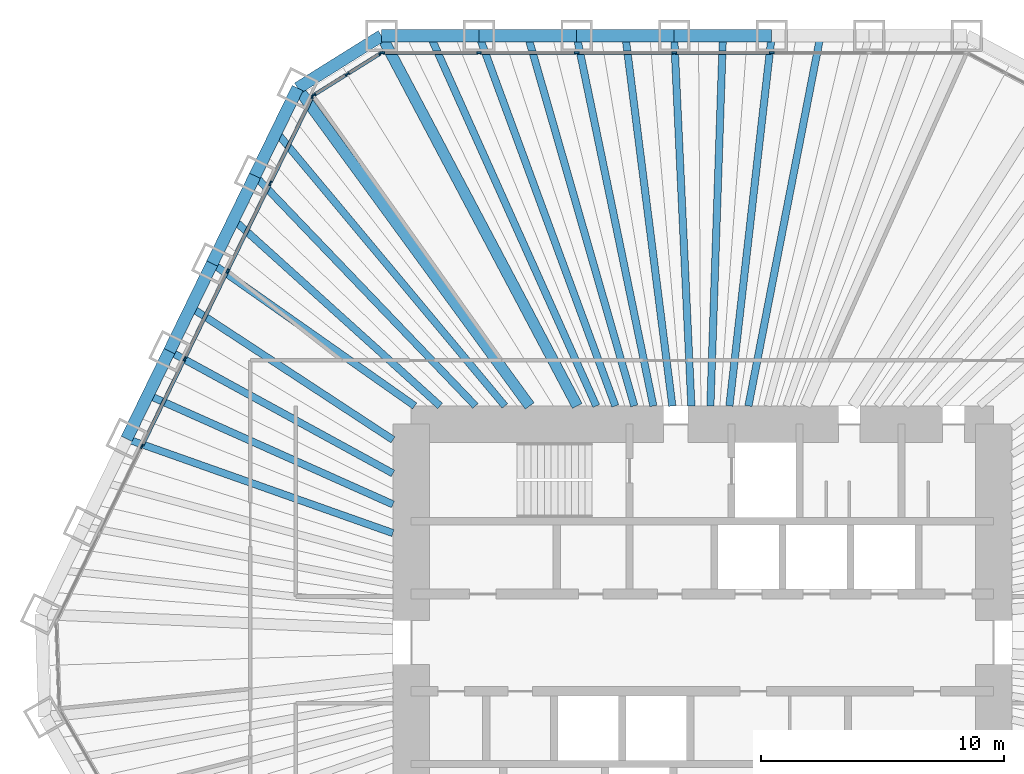
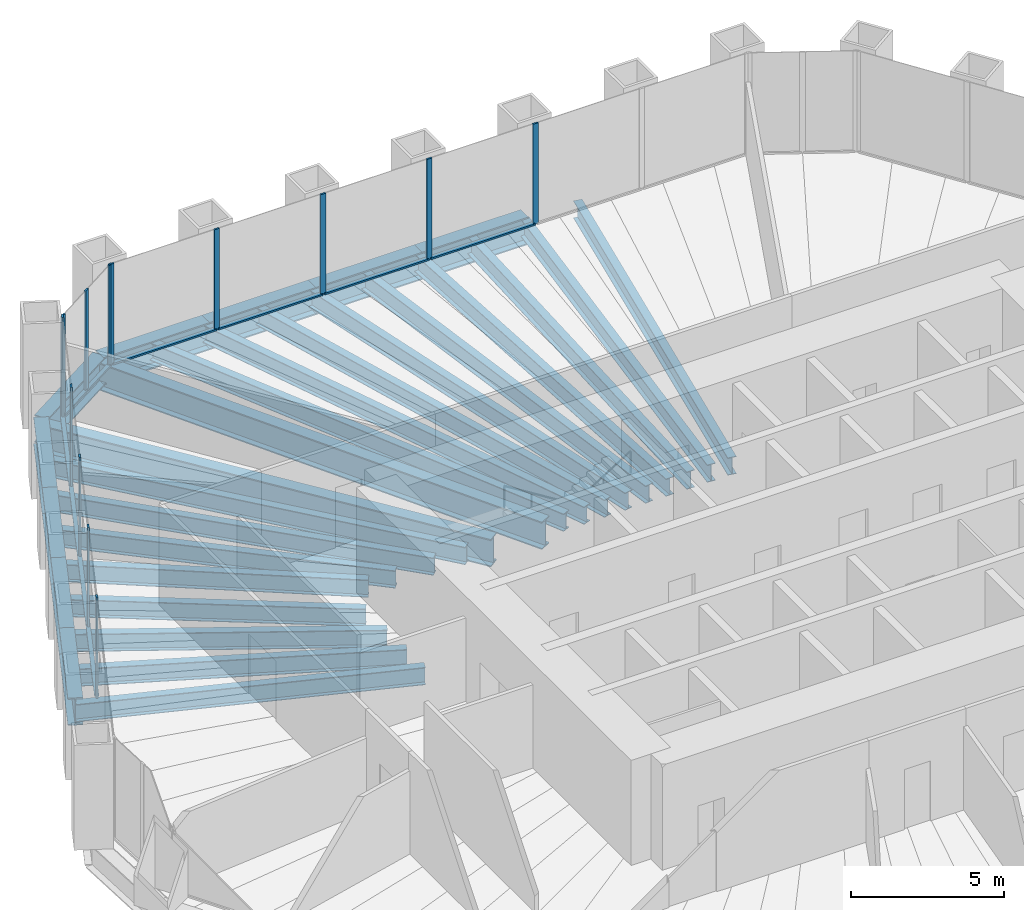
# One storey, part 6 of 13: 28 beams, 23 members, 3 elements without a shape of their own.
"""IFC4 building model written with IfcOpenShell, lengths in metres."""

from ifc_helpers import new_model, si_unit, direction, frame, origin, origin_2d, place, context, subcontext, project, spatial, rectangle, i_section, extrude, material, material_profile, profile_set, type_object, element, aggregate, save


model = new_model("IFC4")

# Units and contexts
model_context = context("Model", 3, precision=1e-05, world=origin(), true_north=direction((0.0, 1.0)))
body_context = subcontext(model_context, "Body", "Model", "MODEL_VIEW")
ifc_project = project(units=[si_unit("LENGTHUNIT", "METRE"), si_unit("AREAUNIT", "SQUARE_METRE"), si_unit("VOLUMEUNIT", "CUBIC_METRE"), si_unit("PLANEANGLEUNIT", "RADIAN"), si_unit("MASSUNIT", "GRAM", prefix="KILO")], contexts=[model_context])

# Site, building, storey
site_placement = place(None, origin())
site = spatial("IfcSite", under=ifc_project, at=site_placement, CompositionType="ELEMENT")
building_placement = place(site_placement, origin())
building = spatial("IfcBuilding", under=site, at=building_placement, Name="Qingtian Harvest Tower", CompositionType="ELEMENT")
storey_placement = place(building_placement, frame((0.0, 0.0, 119.800048828125)))
storey = spatial("IfcBuildingStorey", under=building, at=storey_placement, Name="L24", CompositionType="ELEMENT", Elevation=119.800048828125)

# Beams
ifc_material_1 = material(Name="Steel SM570MC", Category="steel")
ifc_material_profile_1 = material_profile(ifc_material_1, i_section(OverallWidth=0.449951171875, OverallDepth=1.10009765625, WebThickness=0.02197265625, FlangeThickness=0.044921875, at=origin_2d()), Name="H1100x450x22x45")
ifc_profile_set_1 = profile_set([ifc_material_profile_1], Name="Steel SM570MC")
beam_type_1 = type_object("IfcBeamType", Name="Corner floor beam FB8 H1100x450x22x45", PredefinedType="BEAM", material=ifc_profile_set_1)
beam_1_placement = place(storey_placement, frame((-13.2216796875, 25.0, -0.719970703125), z_axis=(0.46750989692, -0.88398783718, 0.0), x_axis=(0.88398783718, 0.46750989692, 0.0)))
element("IfcBeam", 1, at=beam_1_placement, inside=storey, type_object=beam_type_1, Name="Floor beam FB8 N0", PredefinedType="BEAM", context=body_context, shape_type="SweptSolid", body=[
    extrude(i_section(OverallWidth=0.449951171875, OverallDepth=1.10009765625, WebThickness=0.02197265625, FlangeThickness=0.044921875, at=origin_2d()), origin(), (0.0, 0.0, 1.0), 17.25146484375),
])
beam_2_placement = place(storey_placement, frame((-16.673828125, 22.8427734375, -0.719970703125), z_axis=(0.589577703364, -0.807711663712, 0.0), x_axis=(0.807711663712, 0.589577703364, 0.0)))
element("IfcBeam", 2, at=beam_2_placement, inside=storey, type_object=beam_type_1, Name="Floor beam FB8 NW6", PredefinedType="BEAM", context=body_context, shape_type="SweptSolid", body=[
    extrude(i_section(OverallWidth=0.449951171875, OverallDepth=1.10009765625, WebThickness=0.02197265625, FlangeThickness=0.044921875, at=origin_2d()), origin(), (0.0, 0.0, 1.0), 16.209716796875),
])
ifc_material_2 = material(Name="Steel SN490B", Category="steel")
ifc_material_profile_2 = material_profile(ifc_material_2, i_section(OverallWidth=0.300048828125, OverallDepth=0.699951171875, WebThickness=0.012939453125, FlangeThickness=0.02392578125, at=origin_2d()), Name="H700x300x13x24")
ifc_profile_set_2 = profile_set([ifc_material_profile_2], Name="Steel SN490B")
beam_type_2 = type_object("IfcBeamType", Name="Floor beam FB2 H700x300x13x24", PredefinedType="BEAM", material=ifc_profile_set_2)
beam_3_placement = place(storey_placement, frame((-9.20263671875, 25.0, -0.52001953125), z_axis=(0.345440084985, -0.938440806703, 0.0), x_axis=(0.938440806703, 0.345440084985, 0.0)))
element("IfcBeam", 3, at=beam_3_placement, inside=storey, type_object=beam_type_2, Name="Floor beam FB2 N1", PredefinedType="BEAM", context=body_context, shape_type="SweptSolid", body=[
    extrude(i_section(OverallWidth=0.300048828125, OverallDepth=0.699951171875, WebThickness=0.012939453125, FlangeThickness=0.02392578125, at=origin_2d()), origin(), (0.0, 0.0, 1.0), 16.250244140625),
])
beam_4_placement = place(storey_placement, frame((-5.18359375, 25.0, -0.52001953125), z_axis=(0.203032709566, -0.979171955709, 0.0), x_axis=(0.979171955709, 0.203032709566, 0.0)))
element("IfcBeam", 4, at=beam_4_placement, inside=storey, type_object=beam_type_2, Name="Floor beam FB2 N2", PredefinedType="BEAM", context=body_context, shape_type="SweptSolid", body=[
    extrude(i_section(OverallWidth=0.300048828125, OverallDepth=0.699951171875, WebThickness=0.012939453125, FlangeThickness=0.02392578125, at=origin_2d()), origin(), (0.0, 0.0, 1.0), 15.574462890625),
])
beam_5_placement = place(storey_placement, frame((-1.16455078125, 25.0, -0.52001953125), z_axis=(0.046536361684, -0.998916596639, 0.0), x_axis=(0.998916596639, 0.046536361684, 0.0)))
element("IfcBeam", 5, at=beam_5_placement, inside=storey, type_object=beam_type_2, Name="Floor beam FB2 N3", PredefinedType="BEAM", context=body_context, shape_type="SweptSolid", body=[
    extrude(i_section(OverallWidth=0.300048828125, OverallDepth=0.699951171875, WebThickness=0.012939453125, FlangeThickness=0.02392578125, at=origin_2d()), origin(), (0.0, 0.0, 1.0), 15.2666015625),
])
beam_6_placement = place(storey_placement, frame((2.8544921875, 25.0, -0.52001953125), z_axis=(-0.113440722222, -0.993544766249, 0.0), x_axis=(0.993544766249, -0.113440722222, 0.0)))
element("IfcBeam", 6, at=beam_6_placement, inside=storey, type_object=beam_type_2, Name="Floor beam FB2 N4", PredefinedType="BEAM", context=body_context, shape_type="SweptSolid", body=[
    extrude(i_section(OverallWidth=0.300048828125, OverallDepth=0.699951171875, WebThickness=0.012939453125, FlangeThickness=0.02392578125, at=origin_2d()), origin(), (0.0, 0.0, 1.0), 15.34912109375),
])
beam_7_placement = place(storey_placement, frame((-23.72119140625, 8.3935546875, -0.52001953125), z_axis=(0.942723186419, -0.333576068967, 0.0), x_axis=(0.333576068967, 0.942723186419, 0.0)))
element("IfcBeam", 7, at=beam_7_placement, inside=storey, type_object=beam_type_2, Name="Floor beam FB2 NW2", PredefinedType="BEAM", context=body_context, shape_type="SweptSolid", body=[
    extrude(i_section(OverallWidth=0.300048828125, OverallDepth=0.699951171875, WebThickness=0.012939453125, FlangeThickness=0.02392578125, at=origin_2d()), origin(), (0.0, 0.0, 1.0), 11.6376953125),
])
beam_8_placement = place(storey_placement, frame((-21.95947265625, 12.005859375, -0.52001953125), z_axis=(0.877432026785, -0.479700988505, 0.0), x_axis=(0.479700988505, 0.877432026785, 0.0)))
element("IfcBeam", 8, at=beam_8_placement, inside=storey, type_object=beam_type_2, Name="Floor beam FB2 NW3", PredefinedType="BEAM", context=body_context, shape_type="SweptSolid", body=[
    extrude(i_section(OverallWidth=0.300048828125, OverallDepth=0.699951171875, WebThickness=0.012939453125, FlangeThickness=0.02392578125, at=origin_2d()), origin(), (0.0, 0.0, 1.0), 10.495849609375),
])
beam_9_placement = place(storey_placement, frame((-20.197509765625, 15.6181640625, -0.52001953125), z_axis=(0.818080343043, -0.57510394915, 0.0), x_axis=(0.57510394915, 0.818080343043, 0.0)))
element("IfcBeam", 9, at=beam_9_placement, inside=storey, type_object=beam_type_2, Name="Floor beam FB2 NW4", PredefinedType="BEAM", context=body_context, shape_type="SweptSolid", body=[
    extrude(i_section(OverallWidth=0.300048828125, OverallDepth=0.699951171875, WebThickness=0.012939453125, FlangeThickness=0.02392578125, at=origin_2d()), origin(), (0.0, 0.0, 1.0), 10.20361328125),
])
beam_10_placement = place(storey_placement, frame((-18.435791015625, 19.23046875, -0.52001953125), z_axis=(0.69204101057, -0.721858185303, 0.0), x_axis=(0.721858185303, 0.69204101057, 0.0)))
element("IfcBeam", 10, at=beam_10_placement, inside=storey, type_object=beam_type_2, Name="Floor beam FB2 NW5", PredefinedType="BEAM", context=body_context, shape_type="SweptSolid", body=[
    extrude(i_section(OverallWidth=0.300048828125, OverallDepth=0.699951171875, WebThickness=0.012939453125, FlangeThickness=0.02392578125, at=origin_2d()), origin(), (0.0, 0.0, 1.0), 13.13330078125),
])
ifc_material_3 = material(Name="Steel SN490B", Category="steel")
ifc_material_profile_3 = material_profile(ifc_material_3, i_section(OverallWidth=0.300048828125, OverallDepth=0.699951171875, WebThickness=0.012939453125, FlangeThickness=0.02392578125, at=origin_2d()), Name="H700x300x13x24")
ifc_profile_set_3 = profile_set([ifc_material_profile_3], Name="Steel SN490B")
beam_type_3 = type_object("IfcBeamType", Name="Floor joist J2 H700x300x13x24", PredefinedType="JOIST", material=ifc_profile_set_3)
beam_11_placement = place(storey_placement, frame((-11.212158203125, 25.0, -0.52001953125), z_axis=(0.409212761683, -0.912438992852, 0.0), x_axis=(0.912438992852, 0.409212761683, 0.0)))
element("IfcBeam", 11, at=beam_11_placement, inside=storey, type_object=beam_type_3, Name="Floor joist J2 N0", PredefinedType="JOIST", context=body_context, shape_type="SweptSolid", body=[
    extrude(i_section(OverallWidth=0.300048828125, OverallDepth=0.699951171875, WebThickness=0.012939453125, FlangeThickness=0.02392578125, at=origin_2d()), origin(), (0.0, 0.0, 1.0), 16.71337890625),
])
beam_12_placement = place(storey_placement, frame((-7.193115234375, 25.0, -0.52001953125), z_axis=(0.276500682027, -0.961013721462, 0.0), x_axis=(0.961013721462, 0.276500682027, 0.0)))
element("IfcBeam", 12, at=beam_12_placement, inside=storey, type_object=beam_type_3, Name="Floor joist J2 N1", PredefinedType="JOIST", context=body_context, shape_type="SweptSolid", body=[
    extrude(i_section(OverallWidth=0.300048828125, OverallDepth=0.699951171875, WebThickness=0.012939453125, FlangeThickness=0.02392578125, at=origin_2d()), origin(), (0.0, 0.0, 1.0), 15.86865234375),
])
beam_13_placement = place(storey_placement, frame((-3.174072265625, 25.0, -0.52001953125), z_axis=(0.125957899702, -0.992035587821, 0.0), x_axis=(0.992035587821, 0.125957899702, 0.0)))
element("IfcBeam", 13, at=beam_13_placement, inside=storey, type_object=beam_type_3, Name="Floor joist J2 N2", PredefinedType="JOIST", context=body_context, shape_type="SweptSolid", body=[
    extrude(i_section(OverallWidth=0.300048828125, OverallDepth=0.699951171875, WebThickness=0.012939453125, FlangeThickness=0.02392578125, at=origin_2d()), origin(), (0.0, 0.0, 1.0), 15.372314453125),
])
beam_14_placement = place(storey_placement, frame((0.844970703125, 25.0, -0.52001953125), z_axis=(-0.033776183237, -0.999429421943, 0.0), x_axis=(0.999429421943, -0.033776183237, 0.0)))
element("IfcBeam", 14, at=beam_14_placement, inside=storey, type_object=beam_type_3, Name="Floor joist J2 N3", PredefinedType="JOIST", context=body_context, shape_type="SweptSolid", body=[
    extrude(i_section(OverallWidth=0.300048828125, OverallDepth=0.699951171875, WebThickness=0.012939453125, FlangeThickness=0.02392578125, at=origin_2d()), origin(), (0.0, 0.0, 1.0), 15.2587890625),
])
beam_15_placement = place(storey_placement, frame((4.864013671875, 25.0, -0.52001953125), z_axis=(-0.190979017217, -0.981594119269, 0.0), x_axis=(0.981594119269, -0.190979017217, 0.0)))
element("IfcBeam", 15, at=beam_15_placement, inside=storey, type_object=beam_type_3, Name="Floor joist J2 N4", PredefinedType="JOIST", context=body_context, shape_type="SweptSolid", body=[
    extrude(i_section(OverallWidth=0.300048828125, OverallDepth=0.699951171875, WebThickness=0.012939453125, FlangeThickness=0.02392578125, at=origin_2d()), origin(), (0.0, 0.0, 1.0), 15.535888671875),
])
beam_16_placement = place(storey_placement, frame((-22.84033203125, 10.19970703125, -0.52001953125), z_axis=(0.913095877166, -0.407744919162, 0.0), x_axis=(0.407744919162, 0.913095877166, 0.0)))
element("IfcBeam", 16, at=beam_16_placement, inside=storey, type_object=beam_type_3, Name="Floor joist J2 NW2", PredefinedType="JOIST", context=body_context, shape_type="SweptSolid", body=[
    extrude(i_section(OverallWidth=0.300048828125, OverallDepth=0.699951171875, WebThickness=0.012939453125, FlangeThickness=0.02392578125, at=origin_2d()), origin(), (0.0, 0.0, 1.0), 11.05078125),
])
beam_17_placement = place(storey_placement, frame((-21.078369140625, 13.81201171875, -0.52001953125), z_axis=(0.836426246046, -0.548079496903, 0.0), x_axis=(0.548079496903, 0.836426246046, 0.0)))
element("IfcBeam", 17, at=beam_17_placement, inside=storey, type_object=beam_type_3, Name="Floor joist J2 NW3", PredefinedType="JOIST", context=body_context, shape_type="SweptSolid", body=[
    extrude(i_section(OverallWidth=0.300048828125, OverallDepth=0.699951171875, WebThickness=0.012939453125, FlangeThickness=0.02392578125, at=origin_2d()), origin(), (0.0, 0.0, 1.0), 9.95703125),
])
beam_18_placement = place(storey_placement, frame((-19.316650390625, 17.42431640625, -0.52001953125), z_axis=(0.742543540775, -0.669797797886, 0.0), x_axis=(0.669797797886, 0.742543540775, 0.0)))
element("IfcBeam", 18, at=beam_18_placement, inside=storey, type_object=beam_type_3, Name="Floor joist J2 NW4", PredefinedType="JOIST", context=body_context, shape_type="SweptSolid", body=[
    extrude(i_section(OverallWidth=0.300048828125, OverallDepth=0.699951171875, WebThickness=0.012939453125, FlangeThickness=0.02392578125, at=origin_2d()), origin(), (0.0, 0.0, 1.0), 11.457763671875),
])
beam_19_placement = place(storey_placement, frame((-17.5546875, 21.03662109375, -0.52001953125), z_axis=(0.640703730007, -0.767788206704, 0.0), x_axis=(0.767788206704, 0.640703730007, 0.0)))
element("IfcBeam", 19, at=beam_19_placement, inside=storey, type_object=beam_type_3, Name="Floor joist J2 NW5", PredefinedType="JOIST", context=body_context, shape_type="SweptSolid", body=[
    extrude(i_section(OverallWidth=0.300048828125, OverallDepth=0.699951171875, WebThickness=0.012939453125, FlangeThickness=0.02392578125, at=origin_2d()), origin(), (0.0, 0.0, 1.0), 14.7001953125),
])

# Curtain wall, members
ifc_material_4 = material(Name="Bronze-anodised aluminium curtain wall", Category="aluminium")
curtain_wall_type = type_object("IfcCurtainWallType", Name="Curtain wall CW4 office", PredefinedType="USERDEFINED", material=ifc_material_4)
curtain_wall_1_placement = place(storey_placement, origin())
curtain_wall_1 = element("IfcCurtainWall", 20, at=curtain_wall_1_placement, inside=storey, type_object=curtain_wall_type, Name="Curtain wall CW4 L24 N0-5", ObjectType="RECESSED CURTAIN WALL", PredefinedType="USERDEFINED")
ifc_material_5 = material(Name="Bronze-anodised aluminium mullion", Category="aluminium")
ifc_material_profile_4 = material_profile(ifc_material_5, rectangle(XDim=0.06494140625, YDim=0.199951171875, at=origin_2d()), Name="AL 65x200")
ifc_profile_set_4 = profile_set([ifc_material_profile_4], Name="Bronze-anodised aluminium mullion")
member_type_1 = type_object("IfcMemberType", Name="Mullion CWM 65x200", PredefinedType="MULLION", material=ifc_profile_set_4)
member_1_placement = place(storey_placement, frame((-13.189208984375, 24.300048828125, 0.0), z_axis=(0.0, 0.0, 1.0), x_axis=(0.0, 1.0, 0.0)))
member_1 = element("IfcMember", 21, at=member_1_placement, type_object=member_type_1, Name="CW4 mullion 1", PredefinedType="MULLION", context=body_context, shape_type="SweptSolid", body=[
    extrude(rectangle(XDim=0.06494140625, YDim=0.199951171875, at=origin_2d()), origin(), (0.0, 0.0, 1.0), 4.030029296875),
])
member_2_placement = place(storey_placement, frame((-9.20263671875, 24.300048828125, 0.0), z_axis=(0.0, 0.0, 1.0), x_axis=(0.0, 1.0, 0.0)))
member_2 = element("IfcMember", 22, at=member_2_placement, type_object=member_type_1, Name="CW4 mullion 2", PredefinedType="MULLION", context=body_context, shape_type="SweptSolid", body=[
    extrude(rectangle(XDim=0.06494140625, YDim=0.199951171875, at=origin_2d()), origin(), (0.0, 0.0, 1.0), 4.030029296875),
])
member_3_placement = place(storey_placement, frame((-5.18359375, 24.300048828125, 0.0), z_axis=(0.0, 0.0, 1.0), x_axis=(0.0, 1.0, 0.0)))
member_3 = element("IfcMember", 23, at=member_3_placement, type_object=member_type_1, Name="CW4 mullion 3", PredefinedType="MULLION", context=body_context, shape_type="SweptSolid", body=[
    extrude(rectangle(XDim=0.06494140625, YDim=0.199951171875, at=origin_2d()), origin(), (0.0, 0.0, 1.0), 4.030029296875),
])
member_4_placement = place(storey_placement, frame((-1.16455078125, 24.300048828125, 0.0), z_axis=(0.0, 0.0, 1.0), x_axis=(0.0, 1.0, 0.0)))
member_4 = element("IfcMember", 24, at=member_4_placement, type_object=member_type_1, Name="CW4 mullion 4", PredefinedType="MULLION", context=body_context, shape_type="SweptSolid", body=[
    extrude(rectangle(XDim=0.06494140625, YDim=0.199951171875, at=origin_2d()), origin(), (0.0, 0.0, 1.0), 4.030029296875),
])
member_5_placement = place(storey_placement, frame((2.8544921875, 24.300048828125, 0.0), z_axis=(0.0, 0.0, 1.0), x_axis=(0.0, 1.0, 0.0)))
member_5 = element("IfcMember", 25, at=member_5_placement, type_object=member_type_1, Name="CW4 mullion 5", PredefinedType="MULLION", context=body_context, shape_type="SweptSolid", body=[
    extrude(rectangle(XDim=0.06494140625, YDim=0.199951171875, at=origin_2d()), origin(), (0.0, 0.0, 1.0), 4.030029296875),
])

curtain_wall_2_placement = place(storey_placement, origin())
curtain_wall_2 = element("IfcCurtainWall", 26, at=curtain_wall_2_placement, inside=storey, type_object=curtain_wall_type, Name="Curtain wall CW4 L24 NW0-5", ObjectType="RECESSED CURTAIN WALL", PredefinedType="USERDEFINED")
member_6_placement = place(storey_placement, frame((-23.092041015625, 8.086669921875, 0.0), z_axis=(0.0, 0.0, 1.0), x_axis=(-0.898794046299, 0.438371146789, 0.0)))
member_6 = element("IfcMember", 27, at=member_6_placement, type_object=member_type_1, Name="CW4 mullion 3", PredefinedType="MULLION", context=body_context, shape_type="SweptSolid", body=[
    extrude(rectangle(XDim=0.06494140625, YDim=0.199951171875, at=origin_2d()), origin(), (0.0, 0.0, 1.0), 4.030029296875),
])
member_7_placement = place(storey_placement, frame((-21.330322265625, 11.698974609375, 0.0), z_axis=(0.0, 0.0, 1.0), x_axis=(-0.898794046299, 0.438371146789, 0.0)))
member_7 = element("IfcMember", 28, at=member_7_placement, type_object=member_type_1, Name="CW4 mullion 4", PredefinedType="MULLION", context=body_context, shape_type="SweptSolid", body=[
    extrude(rectangle(XDim=0.06494140625, YDim=0.199951171875, at=origin_2d()), origin(), (0.0, 0.0, 1.0), 4.030029296875),
])
member_8_placement = place(storey_placement, frame((-19.568359375, 15.311279296875, 0.0), z_axis=(0.0, 0.0, 1.0), x_axis=(-0.898794046299, 0.438371146789, 0.0)))
member_8 = element("IfcMember", 29, at=member_8_placement, type_object=member_type_1, Name="CW4 mullion 5", PredefinedType="MULLION", context=body_context, shape_type="SweptSolid", body=[
    extrude(rectangle(XDim=0.06494140625, YDim=0.199951171875, at=origin_2d()), origin(), (0.0, 0.0, 1.0), 4.030029296875),
])
member_9_placement = place(storey_placement, frame((-17.806396484375, 18.923828125, 0.0), z_axis=(0.0, 0.0, 1.0), x_axis=(-0.898794046299, 0.438371146789, 0.0)))
member_9 = element("IfcMember", 30, at=member_9_placement, type_object=member_type_1, Name="CW4 mullion 6", PredefinedType="MULLION", context=body_context, shape_type="SweptSolid", body=[
    extrude(rectangle(XDim=0.06494140625, YDim=0.199951171875, at=origin_2d()), origin(), (0.0, 0.0, 1.0), 4.030029296875),
])
member_10_placement = place(storey_placement, frame((-16.058837890625, 22.5068359375, 0.0), z_axis=(0.0, 0.0, 1.0), x_axis=(-0.898794046299, 0.438371146789, 0.0)))
member_10 = element("IfcMember", 31, at=member_10_placement, type_object=member_type_1, Name="CW4 mullion 7", PredefinedType="MULLION", context=body_context, shape_type="SweptSolid", body=[
    extrude(rectangle(XDim=0.06494140625, YDim=0.199951171875, at=origin_2d()), origin(), (0.0, 0.0, 1.0), 4.030029296875),
])

curtain_wall_3_placement = place(storey_placement, origin())
curtain_wall_3 = element("IfcCurtainWall", 32, at=curtain_wall_3_placement, inside=storey, type_object=curtain_wall_type, Name="Curtain wall CW4 L24 NWC", ObjectType="RECESSED CURTAIN WALL", PredefinedType="USERDEFINED")
member_11_placement = place(storey_placement, frame((-16.01708984375, 22.55322265625, 0.0), z_axis=(0.0, 0.0, 1.0), x_axis=(-0.529919264233, 0.848048096156, 0.0)))
member_11 = element("IfcMember", 33, at=member_11_placement, type_object=member_type_1, Name="CW4 mullion 1", PredefinedType="MULLION", context=body_context, shape_type="SweptSolid", body=[
    extrude(rectangle(XDim=0.06494140625, YDim=0.199951171875, at=origin_2d()), origin(), (0.0, 0.0, 1.0), 4.030029296875),
])
member_12_placement = place(storey_placement, frame((-14.63330078125, 23.41796875, 0.0), z_axis=(0.0, 0.0, 1.0), x_axis=(-0.529919264233, 0.848048096156, 0.0)))
member_12 = element("IfcMember", 34, at=member_12_placement, type_object=member_type_1, Name="CW4 mullion 2", PredefinedType="MULLION", context=body_context, shape_type="SweptSolid", body=[
    extrude(rectangle(XDim=0.06494140625, YDim=0.199951171875, at=origin_2d()), origin(), (0.0, 0.0, 1.0), 4.030029296875),
])
member_13_placement = place(storey_placement, frame((-13.249267578125, 24.28271484375, 0.0), z_axis=(0.0, 0.0, 1.0), x_axis=(-0.529919264233, 0.848048096156, 0.0)))
member_13 = element("IfcMember", 35, at=member_13_placement, type_object=member_type_1, Name="CW4 mullion 3", PredefinedType="MULLION", context=body_context, shape_type="SweptSolid", body=[
    extrude(rectangle(XDim=0.06494140625, YDim=0.199951171875, at=origin_2d()), origin(), (0.0, 0.0, 1.0), 4.030029296875),
])

# Beams
ifc_material_6 = material(Name="Steel SM570MC", Category="steel")
ifc_material_profile_5 = material_profile(ifc_material_6, i_section(OverallWidth=0.5, OverallDepth=1.10009765625, WebThickness=0.02490234375, FlangeThickness=0.050048828125, at=origin_2d()), Name="H1100x500x25x50")
ifc_profile_set_5 = profile_set([ifc_material_profile_5], Name="Steel SM570MC")
beam_type_4 = type_object("IfcBeamType", Name="Spandrel beam SB2 H1100x500x25x50", PredefinedType="SPANDREL", material=ifc_profile_set_5)
for number, where, z_axis, x_axis, name in (
    (36, (-13.2216796875, 25.0, -0.550048828125), (1.0, 0.0, 0.0), (0.0, 1.0, 0.0), "Spandrel SB2 N0"),
    (37, (-9.20263671875, 25.0, -0.550048828125), (1.0, 0.0, 0.0), (0.0, 1.0, 0.0), "Spandrel SB2 N1"),
    (38, (-5.18359375, 25.0, -0.550048828125), (1.0, 0.0, 0.0), (0.0, 1.0, 0.0), "Spandrel SB2 N2"),
    (39, (-1.16455078125, 25.0, -0.550048828125), (1.0, 0.0, 0.0), (0.0, 1.0, 0.0), "Spandrel SB2 N3"),
    (40, (-23.72119140625, 8.3935546875, -0.550048828125), (0.438347033158, 0.898805806902, 0.0), (-0.898805806902, 0.438347033158, 0.0), "Spandrel SB2 NW2"),
    (41, (-21.95947265625, 12.005859375, -0.550048828125), (0.438396105405, 0.89878187274, 0.0), (-0.89878187274, 0.438396105405, 0.0), "Spandrel SB2 NW3"),
    (42, (-20.197509765625, 15.6181640625, -0.550048828125), (0.438347033158, 0.898805806902, 0.0), (-0.898805806902, 0.438347033158, 0.0), "Spandrel SB2 NW4"),
    (43, (-18.435791015625, 19.23046875, -0.550048828125), (0.438396105405, 0.89878187274, 0.0), (-0.89878187274, 0.438396105405, 0.0), "Spandrel SB2 NW5"),
):
    element("IfcBeam", number, at=place(storey_placement, frame(where, z_axis=z_axis, x_axis=x_axis)), inside=storey, type_object=beam_type_4, Name=name, PredefinedType="SPANDREL", context=body_context, shape_type="SweptSolid", body=[
        extrude(i_section(OverallWidth=0.5, OverallDepth=1.10009765625, WebThickness=0.02490234375, FlangeThickness=0.050048828125, at=origin_2d()), origin(), (0.0, 0.0, 1.0), 4.01904296875),
    ])
beam_20_placement = place(storey_placement, frame((-16.673828125, 22.8427734375, -0.550048828125), z_axis=(0.848038733752, 0.529934246919, 0.0), x_axis=(-0.529934246919, 0.848038733752, 0.0)))
element("IfcBeam", 44, at=beam_20_placement, inside=storey, type_object=beam_type_4, Name="Spandrel SB2 NWC", PredefinedType="SPANDREL", context=body_context, shape_type="SweptSolid", body=[
    extrude(i_section(OverallWidth=0.5, OverallDepth=1.10009765625, WebThickness=0.02490234375, FlangeThickness=0.050048828125, at=origin_2d()), origin(), (0.0, 0.0, 1.0), 4.07080078125),
])

# Member
ifc_material_7 = material(Name="Bronze-anodised aluminium transom", Category="aluminium")
ifc_material_profile_6 = material_profile(ifc_material_7, rectangle(XDim=0.14990234375, YDim=0.06494140625, at=origin_2d()), Name="AL 65x150")
ifc_profile_set_6 = profile_set([ifc_material_profile_6], Name="Bronze-anodised aluminium transom")
member_type_2 = type_object("IfcMemberType", Name="Transom CWT 65x150", PredefinedType="USERDEFINED", material=ifc_profile_set_6)
member_14_placement = place(storey_placement, frame((-13.15673828125, 24.300048828125, 0.032470703125), z_axis=(1.0, 0.0, 0.0), x_axis=(0.0, 1.0, 0.0)))
member_14 = element("IfcMember", 45, at=member_14_placement, type_object=member_type_2, Name="CW4 transom 1.1", ObjectType="TRANSOM", PredefinedType="USERDEFINED", context=body_context, shape_type="SweptSolid", body=[
    extrude(rectangle(XDim=0.14990234375, YDim=0.06494140625, at=origin_2d()), origin(), (0.0, 0.0, 1.0), 3.921630859375),
])

member_15_placement = place(storey_placement, frame((-9.170166015625, 24.300048828125, 0.032470703125), z_axis=(1.0, 0.0, 0.0), x_axis=(0.0, 1.0, 0.0)))
member_15 = element("IfcMember", 46, at=member_15_placement, type_object=member_type_2, Name="CW4 transom 2.1", ObjectType="TRANSOM", PredefinedType="USERDEFINED", context=body_context, shape_type="SweptSolid", body=[
    extrude(rectangle(XDim=0.14990234375, YDim=0.06494140625, at=origin_2d()), origin(), (0.0, 0.0, 1.0), 3.9541015625),
])

member_16_placement = place(storey_placement, frame((-5.151123046875, 24.300048828125, 0.032470703125), z_axis=(1.0, 0.0, 0.0), x_axis=(0.0, 1.0, 0.0)))
member_16 = element("IfcMember", 47, at=member_16_placement, type_object=member_type_2, Name="CW4 transom 3.1", ObjectType="TRANSOM", PredefinedType="USERDEFINED", context=body_context, shape_type="SweptSolid", body=[
    extrude(rectangle(XDim=0.14990234375, YDim=0.06494140625, at=origin_2d()), origin(), (0.0, 0.0, 1.0), 3.9541015625),
])

member_17_placement = place(storey_placement, frame((-1.132080078125, 24.300048828125, 0.032470703125), z_axis=(1.0, 0.0, 0.0), x_axis=(0.0, 1.0, 0.0)))
member_17 = element("IfcMember", 48, at=member_17_placement, type_object=member_type_2, Name="CW4 transom 4.1", ObjectType="TRANSOM", PredefinedType="USERDEFINED", context=body_context, shape_type="SweptSolid", body=[
    extrude(rectangle(XDim=0.14990234375, YDim=0.06494140625, at=origin_2d()), origin(), (0.0, 0.0, 1.0), 3.9541015625),
])

aggregate(curtain_wall_1, [member_1, member_2, member_3, member_4, member_5, member_14, member_15, member_16, member_17])

member_18_placement = place(storey_placement, frame((-23.077880859375, 8.115966796875, 0.032470703125), z_axis=(0.438374972828, 0.898792180205, 0.0), x_axis=(-0.898792180205, 0.438374972828, 0.0)))
member_18 = element("IfcMember", 49, at=member_18_placement, type_object=member_type_2, Name="CW4 transom 3.1", ObjectType="TRANSOM", PredefinedType="USERDEFINED", context=body_context, shape_type="SweptSolid", body=[
    extrude(rectangle(XDim=0.14990234375, YDim=0.06494140625, at=origin_2d()), origin(), (0.0, 0.0, 1.0), 3.9541015625),
])

member_19_placement = place(storey_placement, frame((-21.31591796875, 11.728271484375, 0.032470703125), z_axis=(0.438374972828, 0.898792180205, 0.0), x_axis=(-0.898792180205, 0.438374972828, 0.0)))
member_19 = element("IfcMember", 50, at=member_19_placement, type_object=member_type_2, Name="CW4 transom 4.1", ObjectType="TRANSOM", PredefinedType="USERDEFINED", context=body_context, shape_type="SweptSolid", body=[
    extrude(rectangle(XDim=0.14990234375, YDim=0.06494140625, at=origin_2d()), origin(), (0.0, 0.0, 1.0), 3.9541015625),
])

member_20_placement = place(storey_placement, frame((-19.55419921875, 15.340576171875, 0.032470703125), z_axis=(0.438374972828, 0.898792180205, 0.0), x_axis=(-0.898792180205, 0.438374972828, 0.0)))
member_20 = element("IfcMember", 51, at=member_20_placement, type_object=member_type_2, Name="CW4 transom 5.1", ObjectType="TRANSOM", PredefinedType="USERDEFINED", context=body_context, shape_type="SweptSolid", body=[
    extrude(rectangle(XDim=0.14990234375, YDim=0.06494140625, at=origin_2d()), origin(), (0.0, 0.0, 1.0), 3.9541015625),
])

member_21_placement = place(storey_placement, frame((-17.792236328125, 18.952880859375, 0.032470703125), z_axis=(0.438351261745, 0.898803744611, 0.0), x_axis=(-0.898803744611, 0.438351261745, 0.0)))
member_21 = element("IfcMember", 52, at=member_21_placement, type_object=member_type_2, Name="CW4 transom 6.1", ObjectType="TRANSOM", PredefinedType="USERDEFINED", context=body_context, shape_type="SweptSolid", body=[
    extrude(rectangle(XDim=0.14990234375, YDim=0.06494140625, at=origin_2d()), origin(), (0.0, 0.0, 1.0), 3.92138671875),
])

aggregate(curtain_wall_2, [member_6, member_7, member_8, member_9, member_10, member_18, member_19, member_20, member_21])

member_22_placement = place(storey_placement, frame((-15.989501953125, 22.570556640625, 0.032470703125), z_axis=(0.848059570903, 0.529900900357, 0.0), x_axis=(-0.529900900357, 0.848059570903, 0.0)))
member_22 = element("IfcMember", 53, at=member_22_placement, type_object=member_type_2, Name="CW4 transom 1.1", ObjectType="TRANSOM", PredefinedType="USERDEFINED", context=body_context, shape_type="SweptSolid", body=[
    extrude(rectangle(XDim=0.14990234375, YDim=0.06494140625, at=origin_2d()), origin(), (0.0, 0.0, 1.0), 1.56689453125),
])

member_23_placement = place(storey_placement, frame((-14.605712890625, 23.435302734375, 0.032470703125), z_axis=(0.848059570903, 0.529900900357, 0.0), x_axis=(-0.529900900357, 0.848059570903, 0.0)))
member_23 = element("IfcMember", 54, at=member_23_placement, type_object=member_type_2, Name="CW4 transom 2.1", ObjectType="TRANSOM", PredefinedType="USERDEFINED", context=body_context, shape_type="SweptSolid", body=[
    extrude(rectangle(XDim=0.14990234375, YDim=0.06494140625, at=origin_2d()), origin(), (0.0, 0.0, 1.0), 1.56689453125),
])

aggregate(curtain_wall_3, [member_11, member_12, member_13, member_22, member_23])

save(model, "model.ifc")
